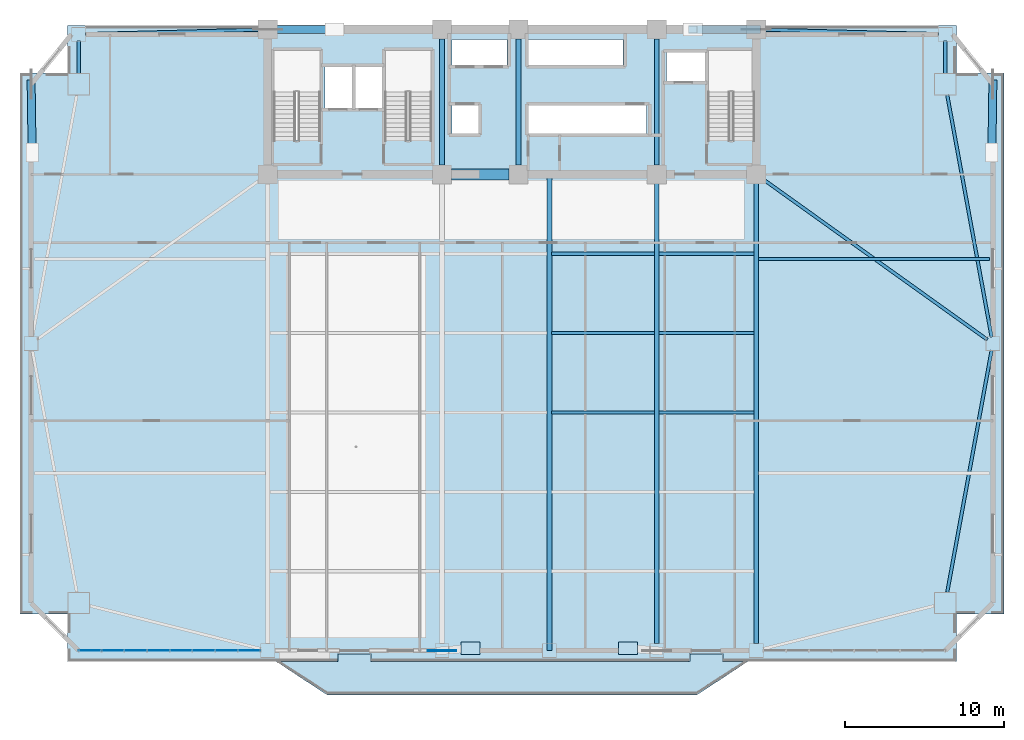
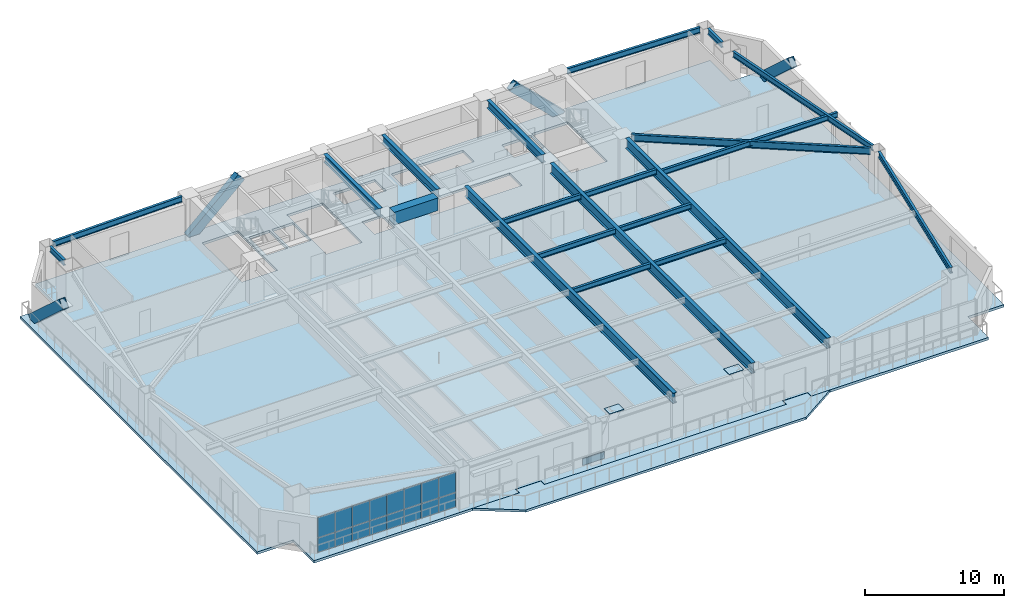
# One storey, part 6 of 15: 21 beams, 19 plates, 4 members, 2 slabs, 1 element without a shape of its own.
"""IFC4 building model written with IfcOpenShell, lengths in metres."""

from ifc_helpers import new_model, si_unit, direction, frame, origin, origin_2d, place, context, subcontext, project, spatial, polyline, rectangle, hollow_rectangle, i_section, outline, extrude, source, transform, mapped, material, layer, layer_set, material_profile, profile_set, type_object, element, aggregate, save


model = new_model("IFC4")

# Units and contexts
model_context = context("Model", 3, precision=1e-05, world=origin(), true_north=direction((0.0, 1.0)))
body_context = subcontext(model_context, "Body", "Model", "MODEL_VIEW")
ifc_project = project(units=[si_unit("LENGTHUNIT", "METRE"), si_unit("AREAUNIT", "SQUARE_METRE"), si_unit("VOLUMEUNIT", "CUBIC_METRE"), si_unit("PLANEANGLEUNIT", "RADIAN"), si_unit("MASSUNIT", "GRAM", prefix="KILO")], contexts=[model_context])

# Site, building, storey
site_placement = place(None, origin())
site = spatial("IfcSite", under=ifc_project, at=site_placement, CompositionType="ELEMENT")
building_placement = place(site_placement, origin())
building = spatial("IfcBuilding", under=site, at=building_placement, Name="Giltprow Tower", CompositionType="ELEMENT")
storey_placement = place(building_placement, frame((0.0, 0.0, 123.10009765625)))
storey = spatial("IfcBuildingStorey", under=building, at=storey_placement, Name="L30", CompositionType="ELEMENT", Elevation=123.10009765625)

# Beams
ifc_material_1 = material(Name="Concrete C60", Category="concrete")
ifc_material_profile_1 = material_profile(ifc_material_1, rectangle(XDim=0.699951171875, YDim=1.10009765625, at=origin_2d()), Name="RC 1100x700")
ifc_profile_set_1 = profile_set([ifc_material_profile_1], Name="Concrete C60")
beam_type_1 = type_object("IfcBeamType", Name="BM-CPL-RC1100", PredefinedType="LINTEL", material=ifc_profile_set_1)
shared_shape_1 = source(origin(), body_context, "Body", "SweptSolid", [
    extrude(rectangle(XDim=0.699951171875, YDim=1.10009765625, at=origin_2d()), origin(), (0.0, 0.0, 1.0), 3.6298828125),
])
beam_1_placement = place(storey_placement, frame((31.385009765625, 37.449951171875, 3.1298828125), z_axis=(1.0, 0.0, 0.0), x_axis=(0.0, 1.0, 0.0)))
element("IfcBeam", 1, at=beam_1_placement, inside=storey, type_object=beam_type_1, Name="L30 Core Coupling Beam CB-1", PredefinedType="LINTEL", context=body_context, shape_type="MappedRepresentation", body=[
    mapped(shared_shape_1, transform((0.0, 0.0, 0.0), x_axis=(1.0, 0.0, 0.0), y_axis=(0.0, 1.0, 0.0), z_axis=(0.0, 0.0, 1.0), scale=1.0)),
])
ifc_material_2 = material(Name="Structural steel Q355B", Category="steel")
ifc_material_profile_2 = material_profile(ifc_material_2, i_section(OverallWidth=0.300048828125, OverallDepth=0.699951171875, WebThickness=0.012939453125, FlangeThickness=0.02392578125, at=origin_2d()), Name="HN 700x300x13x24")
ifc_profile_set_2 = profile_set([ifc_material_profile_2], Name="Structural steel Q355B")
beam_type_2 = type_object("IfcBeamType", Name="BM-GIRD-HN700", PredefinedType="BEAM", material=ifc_profile_set_2)
shared_shape_2 = source(origin(), body_context, "Body", "SweptSolid", [
    extrude(i_section(OverallWidth=0.300048828125, OverallDepth=0.699951171875, WebThickness=0.012939453125, FlangeThickness=0.02392578125, at=origin_2d()), origin(), (0.0, 0.0, 1.0), 7.93017578125),
])
for number, where, z_axis, x_axis, name in (
    (2, (30.800048828125, 38.034912109375, 3.329833984375), (0.0, 1.0, 0.0), (-1.0, 0.0, 0.0), "L30 Core Tie Girder M1"),
    (3, (35.60009765625, 38.034912109375, 3.329833984375), (0.0, 1.0, 0.0), (-1.0, 0.0, 0.0), "L30 Core Tie Girder M2"),
    (4, (44.300048828125, 38.034912109375, 3.329833984375), (0.0, 1.0, 0.0), (-1.0, 0.0, 0.0), "L30 Core Tie Girder M3"),
):
    element("IfcBeam", number, at=place(storey_placement, frame(where, z_axis=z_axis, x_axis=x_axis)), inside=storey, type_object=beam_type_2, Name=name, PredefinedType="BEAM", context=body_context, shape_type="MappedRepresentation", body=[
        mapped(shared_shape_2, transform((0.0, 0.0, 0.0), x_axis=(1.0, 0.0, 0.0), y_axis=(0.0, 1.0, 0.0), z_axis=(0.0, 0.0, 1.0), scale=1.0)),
    ])
ifc_material_profile_3 = material_profile(ifc_material_2, i_section(OverallWidth=0.199951171875, OverallDepth=0.449951171875, WebThickness=0.009033203125, FlangeThickness=0.013916015625, at=origin_2d()), Name="HN 450x200x9x14")
ifc_profile_set_3 = profile_set([ifc_material_profile_3], Name="Structural steel Q355B")
beam_type_3 = type_object("IfcBeamType", Name="BM-JOIST-HN450", PredefinedType="JOIST", material=ifc_profile_set_3)
shared_shape_3 = source(origin(), body_context, "Body", "SweptSolid", [
    extrude(i_section(OverallWidth=0.199951171875, OverallDepth=0.449951171875, WebThickness=0.009033203125, FlangeThickness=0.013916015625, at=origin_2d()), origin(), (0.0, 0.0, 1.0), 6.4599609375),
])
for number, where, z_axis, x_axis, name in (
    (5, (37.695068359375, 22.48388671875, 3.454833984375), (1.0, 0.0, 0.0), (0.0, 1.0, 0.0), "L30 Composite Floor Joist 3-3"),
    (6, (37.695068359375, 27.472900390625, 3.454833984375), (1.0, 0.0, 0.0), (0.0, 1.0, 0.0), "L30 Composite Floor Joist 4-3"),
    (7, (37.695068359375, 32.4609375, 3.454833984375), (1.0, 0.0, 0.0), (0.0, 1.0, 0.0), "L30 Composite Floor Joist 5-3"),
):
    element("IfcBeam", number, at=place(storey_placement, frame(where, z_axis=z_axis, x_axis=x_axis)), inside=storey, type_object=beam_type_3, Name=name, PredefinedType="JOIST", context=body_context, shape_type="MappedRepresentation", body=[
        mapped(shared_shape_3, transform((0.0, 0.0, 0.0), x_axis=(1.0, 0.0, 0.0), y_axis=(0.0, 1.0, 0.0), z_axis=(0.0, 0.0, 1.0), scale=1.0)),
    ])
shared_shape_4 = source(origin(), body_context, "Body", "SweptSolid", [
    extrude(i_section(OverallWidth=0.199951171875, OverallDepth=0.449951171875, WebThickness=0.009033203125, FlangeThickness=0.013916015625, at=origin_2d()), origin(), (0.0, 0.0, 1.0), 5.9599609375),
])
for number, where, z_axis, x_axis, name in (
    (8, (44.445068359375, 22.48388671875, 3.454833984375), (1.0, 0.0, 0.0), (0.0, 1.0, 0.0), "L30 Composite Floor Joist 3-4"),
    (9, (44.445068359375, 27.472900390625, 3.454833984375), (1.0, 0.0, 0.0), (0.0, 1.0, 0.0), "L30 Composite Floor Joist 4-4"),
    (10, (44.445068359375, 32.4609375, 3.454833984375), (1.0, 0.0, 0.0), (0.0, 1.0, 0.0), "L30 Composite Floor Joist 5-4"),
):
    element("IfcBeam", number, at=place(storey_placement, frame(where, z_axis=z_axis, x_axis=x_axis)), inside=storey, type_object=beam_type_3, Name=name, PredefinedType="JOIST", context=body_context, shape_type="MappedRepresentation", body=[
        mapped(shared_shape_4, transform((0.0, 0.0, 0.0), x_axis=(1.0, 0.0, 0.0), y_axis=(0.0, 1.0, 0.0), z_axis=(0.0, 0.0, 1.0), scale=1.0)),
    ])
ifc_material_profile_4 = material_profile(ifc_material_2, i_section(OverallWidth=0.199951171875, OverallDepth=0.5, WebThickness=0.010009765625, FlangeThickness=0.01611328125, at=origin_2d()), Name="HN 500x200x10x16")
ifc_profile_set_4 = profile_set([ifc_material_profile_4], Name="Structural steel Q355B")
beam_type_4 = type_object("IfcBeamType", Name="BM-SPAN-HN500", PredefinedType="SPANDREL", material=ifc_profile_set_4)
shared_shape_5 = source(origin(), body_context, "Body", "SweptSolid", [
    extrude(i_section(OverallWidth=0.199951171875, OverallDepth=0.5, WebThickness=0.010009765625, FlangeThickness=0.01611328125, at=origin_2d()), origin(), (0.0, 0.0, 1.0), 15.45166015625),
])
for number, where, z_axis, x_axis, name in (
    (11, (62.553955078125, 11.18310546875, 3.429931640625), (0.180439714117, 0.983586045839, 0.0), (-0.983586045839, 0.180439714117, 0.0), "L30 Perimeter Spandrel Beam MC_SE-E_MID"),
    (12, (65.342041015625, 27.237060546875, 3.429931640625), (-0.180439714117, 0.983586045839, 0.0), (-0.983586045839, -0.180439714117, 0.0), "L30 Perimeter Spandrel Beam E_MID-MC_NE"),
):
    element("IfcBeam", number, at=place(storey_placement, frame(where, z_axis=z_axis, x_axis=x_axis)), inside=storey, type_object=beam_type_4, Name=name, PredefinedType="SPANDREL", context=body_context, shape_type="MappedRepresentation", body=[
        mapped(shared_shape_5, transform((0.0, 0.0, 0.0), x_axis=(1.0, 0.0, 0.0), y_axis=(0.0, 1.0, 0.0), z_axis=(0.0, 0.0, 1.0), scale=1.0)),
    ])
shared_shape_6 = source(origin(), body_context, "Body", "SweptSolid", [
    extrude(i_section(OverallWidth=0.199951171875, OverallDepth=0.5, WebThickness=0.010009765625, FlangeThickness=0.01611328125, at=origin_2d()), origin(), (0.0, 0.0, 1.0), 2.02099609375),
])
for number, where, z_axis, x_axis, name in (
    (13, (62.429931640625, 43.7939453125, 3.429931640625), (0.0, 1.0, 0.0), (-1.0, 0.0, 0.0), "L30 Perimeter Spandrel Beam MC_NE-N_E"),
    (14, (7.969970703125, 45.81494140625, 3.429931640625), (0.0, -1.0, 0.0), (1.0, 0.0, 0.0), "L30 Perimeter Spandrel Beam N_W-MC_NW"),
):
    element("IfcBeam", number, at=place(storey_placement, frame(where, z_axis=z_axis, x_axis=x_axis)), inside=storey, type_object=beam_type_4, Name=name, PredefinedType="SPANDREL", context=body_context, shape_type="MappedRepresentation", body=[
        mapped(shared_shape_6, transform((0.0, 0.0, 0.0), x_axis=(1.0, 0.0, 0.0), y_axis=(0.0, 1.0, 0.0), z_axis=(0.0, 0.0, 1.0), scale=1.0)),
    ])
shared_shape_7 = source(origin(), body_context, "Body", "SweptSolid", [
    extrude(i_section(OverallWidth=0.199951171875, OverallDepth=0.5, WebThickness=0.010009765625, FlangeThickness=0.01611328125, at=origin_2d()), origin(), (0.0, 0.0, 1.0), 10.86328125),
])
beam_2_placement = place(storey_placement, frame((8.405029296875, 46.260986328125, 3.429931640625), z_axis=(0.99968203455, 0.025215665725, 0.0), x_axis=(-0.025215665725, 0.99968203455, 0.0)))
element("IfcBeam", 15, at=beam_2_placement, inside=storey, type_object=beam_type_4, Name="L30 North Wing Spandrel W", PredefinedType="SPANDREL", context=body_context, shape_type="MappedRepresentation", body=[
    mapped(shared_shape_7, transform((0.0, 0.0, 0.0), x_axis=(1.0, 0.0, 0.0), y_axis=(0.0, 1.0, 0.0), z_axis=(0.0, 0.0, 1.0), scale=1.0)),
])
shared_shape_8 = source(origin(), body_context, "Body", "SweptSolid", [
    extrude(i_section(OverallWidth=0.199951171875, OverallDepth=0.5, WebThickness=0.010009765625, FlangeThickness=0.01611328125, at=origin_2d()), origin(), (0.0, 0.0, 1.0), 10.863525390625),
])
beam_3_placement = place(storey_placement, frame((51.135009765625, 46.534912109375, 3.429931640625), z_axis=(0.999682048839, -0.025215099224, 0.0), x_axis=(0.025215099224, 0.999682048839, 0.0)))
element("IfcBeam", 16, at=beam_3_placement, inside=storey, type_object=beam_type_4, Name="L30 North Wing Spandrel E", PredefinedType="SPANDREL", context=body_context, shape_type="MappedRepresentation", body=[
    mapped(shared_shape_8, transform((0.0, 0.0, 0.0), x_axis=(1.0, 0.0, 0.0), y_axis=(0.0, 1.0, 0.0), z_axis=(0.0, 0.0, 1.0), scale=1.0)),
])
ifc_material_profile_5 = material_profile(ifc_material_2, i_section(OverallWidth=0.300048828125, OverallDepth=0.89990234375, WebThickness=0.01611328125, FlangeThickness=0.028076171875, at=origin_2d()), Name="HN 900x300x16x28")
ifc_profile_set_5 = profile_set([ifc_material_profile_5], Name="Structural steel Q355B")
beam_type_5 = type_object("IfcBeamType", Name="BM-GIRD-HN900", PredefinedType="BEAM", material=ifc_profile_set_5)
shared_shape_9 = source(origin(), body_context, "Body", "SweptSolid", [
    extrude(i_section(OverallWidth=0.300048828125, OverallDepth=0.89990234375, WebThickness=0.01611328125, FlangeThickness=0.028076171875, at=origin_2d()), origin(), (0.0, 0.0, 1.0), 28.912109375),
])
for number, where, z_axis, x_axis, name in (
    (17, (44.300048828125, 7.952880859375, 3.22998046875), (0.0, 1.0, 0.0), (-1.0, 0.0, 0.0), "L30 Primary Lease Girder S3"),
    (18, (50.550048828125, 7.952880859375, 3.22998046875), (0.0, 1.0, 0.0), (-1.0, 0.0, 0.0), "L30 Primary Lease Girder S4"),
):
    element("IfcBeam", number, at=place(storey_placement, frame(where, z_axis=z_axis, x_axis=x_axis)), inside=storey, type_object=beam_type_5, Name=name, PredefinedType="BEAM", context=body_context, shape_type="MappedRepresentation", body=[
        mapped(shared_shape_9, transform((0.0, 0.0, 0.0), x_axis=(1.0, 0.0, 0.0), y_axis=(0.0, 1.0, 0.0), z_axis=(0.0, 0.0, 1.0), scale=1.0)),
    ])
shared_shape_10 = source(origin(), body_context, "Body", "SweptSolid", [
    extrude(i_section(OverallWidth=0.300048828125, OverallDepth=0.89990234375, WebThickness=0.01611328125, FlangeThickness=0.028076171875, at=origin_2d()), origin(), (0.0, 0.0, 1.0), 29.931884765625),
])
beam_4_placement = place(storey_placement, frame((37.550048828125, 7.51806640625, 3.22998046875), z_axis=(0.0, 1.0, 0.0), x_axis=(-1.0, 0.0, 0.0)))
element("IfcBeam", 19, at=beam_4_placement, inside=storey, type_object=beam_type_5, Name="L30 Central Lease Girder SMID", PredefinedType="BEAM", context=body_context, shape_type="MappedRepresentation", body=[
    mapped(shared_shape_10, transform((0.0, 0.0, 0.0), x_axis=(1.0, 0.0, 0.0), y_axis=(0.0, 1.0, 0.0), z_axis=(0.0, 0.0, 1.0), scale=1.0)),
])
ifc_material_profile_6 = material_profile(ifc_material_2, i_section(OverallWidth=0.199951171875, OverallDepth=0.60009765625, WebThickness=0.010986328125, FlangeThickness=0.01708984375, at=origin_2d()), Name="HN 600x200x11x17")
ifc_profile_set_6 = profile_set([ifc_material_profile_6], Name="Structural steel Q355B")
beam_type_6 = type_object("IfcBeamType", Name="BM-GIRD-HN600", PredefinedType="BEAM", material=ifc_profile_set_6)
shared_shape_11 = source(origin(), body_context, "Body", "SweptSolid", [
    extrude(i_section(OverallWidth=0.199951171875, OverallDepth=0.60009765625, WebThickness=0.010986328125, FlangeThickness=0.01708984375, at=origin_2d()), origin(), (0.0, 0.0, 1.0), 17.265869140625),
])
beam_5_placement = place(storey_placement, frame((65.06689453125, 27.06201171875, 3.3798828125), z_axis=(-0.813218189266, 0.581958913194, 0.0), x_axis=(-0.581958913194, -0.813218189266, 0.0)))
element("IfcBeam", 20, at=beam_5_placement, inside=storey, type_object=beam_type_6, Name="L30 East Wing Primary Girder", PredefinedType="BEAM", context=body_context, shape_type="MappedRepresentation", body=[
    mapped(shared_shape_11, transform((0.0, 0.0, 0.0), x_axis=(1.0, 0.0, 0.0), y_axis=(0.0, 1.0, 0.0), z_axis=(0.0, 0.0, 1.0), scale=1.0)),
])
shared_shape_12 = source(origin(), body_context, "Body", "SweptSolid", [
    extrude(i_section(OverallWidth=0.199951171875, OverallDepth=0.449951171875, WebThickness=0.009033203125, FlangeThickness=0.013916015625, at=origin_2d()), origin(), (0.0, 0.0, 1.0), 14.505859375),
])
beam_6_placement = place(storey_placement, frame((50.695068359375, 32.1298828125, 3.454833984375), z_axis=(1.0, 0.0, 0.0), x_axis=(0.0, 1.0, 0.0)))
element("IfcBeam", 21, at=beam_6_placement, inside=storey, type_object=beam_type_3, Name="L30 East Wing Floor Joist 2", PredefinedType="JOIST", context=body_context, shape_type="MappedRepresentation", body=[
    mapped(shared_shape_12, transform((0.0, 0.0, 0.0), x_axis=(1.0, 0.0, 0.0), y_axis=(0.0, 1.0, 0.0), z_axis=(0.0, 0.0, 1.0), scale=1.0)),
])

# Members
ifc_material_3 = material(Name="Structural steel Q420GJC", Category="steel")
ifc_material_profile_7 = material_profile(ifc_material_3, hollow_rectangle(XDim=0.5, YDim=0.800048828125, WallThickness=0.035888671875, at=origin_2d()), Name="RHS 800x500x36")
ifc_profile_set_7 = profile_set([ifc_material_profile_7], Name="Structural steel Q420GJC")
member_type = type_object("IfcMemberType", Name="MBR-MEGA-RHS800", PredefinedType="BRACE", material=ifc_profile_set_7)
shared_shape_13 = source(origin(), body_context, "Body", "SweptSolid", [
    extrude(hollow_rectangle(XDim=0.5, YDim=0.800048828125, WallThickness=0.035888671875, at=origin_2d()), origin(), (0.0, 0.0, 1.0), 5.736572265625),
])
member_1_placement = place(storey_placement, frame((19.85009765625, 46.550048828125, -0.14013671875), z_axis=(0.733328338241, 0.0, 0.67987465634), x_axis=(0.0, 1.0, 0.0)))
element("IfcMember", 22, at=member_1_placement, inside=storey, type_object=member_type, Name="L30 Chevron Mega-Brace N-L", PredefinedType="BRACE", context=body_context, shape_type="MappedRepresentation", body=[
    mapped(shared_shape_13, transform((0.0, 0.0, 0.0), x_axis=(1.0, 0.0, 0.0), y_axis=(0.0, 1.0, 0.0), z_axis=(0.0, 0.0, 1.0), scale=1.0)),
])
shared_shape_14 = source(origin(), body_context, "Body", "SweptSolid", [
    extrude(hollow_rectangle(XDim=0.5, YDim=0.800048828125, WallThickness=0.035888671875, at=origin_2d()), origin(), (0.0, 0.0, 1.0), 5.581787109375),
])
member_2_placement = place(storey_placement, frame((50.550048828125, 46.550048828125, -0.14013671875), z_axis=(-0.715389907179, 0.0, 0.698725468769), x_axis=(0.0, -1.0, 0.0)))
element("IfcMember", 23, at=member_2_placement, inside=storey, type_object=member_type, Name="L30 Chevron Mega-Brace N-R", PredefinedType="BRACE", context=body_context, shape_type="MappedRepresentation", body=[
    mapped(shared_shape_14, transform((0.0, 0.0, 0.0), x_axis=(1.0, 0.0, 0.0), y_axis=(0.0, 1.0, 0.0), z_axis=(0.0, 0.0, 1.0), scale=1.0)),
])
shared_shape_15 = source(origin(), body_context, "Body", "SweptSolid", [
    extrude(hollow_rectangle(XDim=0.5, YDim=0.800048828125, WallThickness=0.035888671875, at=origin_2d()), origin(), (0.0, 0.0, 1.0), 5.79345703125),
])
for number, where, z_axis, x_axis, name in (
    (24, (4.97900390625, 43.10888671875, 0.0), (0.010872124811, -0.739430907186, 0.673144657856), (0.999891923007, 0.014701779001, 0.0), "L30 Chevron Mega-Brace W-R"),
    (25, (65.4208984375, 43.10888671875, 0.0), (-0.010872124811, -0.739430907186, 0.673144657856), (0.999891923007, -0.014701779001, 0.0), "L30 Chevron Mega-Brace E-R"),
):
    element("IfcMember", number, at=place(storey_placement, frame(where, z_axis=z_axis, x_axis=x_axis)), inside=storey, type_object=member_type, Name=name, PredefinedType="BRACE", context=body_context, shape_type="MappedRepresentation", body=[
        mapped(shared_shape_15, transform((0.0, 0.0, 0.0), x_axis=(1.0, 0.0, 0.0), y_axis=(0.0, 1.0, 0.0), z_axis=(0.0, 0.0, 1.0), scale=1.0)),
    ])

# Slabs
ifc_material_4 = material(Name="Concrete C40", Category="concrete")
ifc_layer_1 = layer(ifc_material_4, 0.199951171875, Name="Concrete C40")
ifc_layer_set_1 = layer_set([ifc_layer_1], Name="Concrete C40")
slab_type_1 = type_object("IfcSlabType", Name="SLB-BALC-BRONZE-200", PredefinedType="FLOOR", material=ifc_layer_set_1)
slab_1_placement = place(storey_placement, frame((0.0, 0.0, -0.2001953125)))
element("IfcSlab", 26, at=slab_1_placement, inside=storey, type_object=slab_type_1, Name="L30 Bronze Prow Waterfront Balcony Slab", PredefinedType="FLOOR", context=body_context, shape_type="SweptSolid", body=[
    extrude(outline(polyline([(50.0, 6.818115234375), (46.800048828125, 4.718017578125), (23.60009765625, 4.718017578125), (20.39990234375, 6.818115234375), (24.280029296875, 6.818115234375), (24.280029296875, 7.318115234375), (26.320068359375, 7.318115234375), (26.320068359375, 6.818115234375), (46.3798828125, 6.818115234375), (46.3798828125, 7.318115234375), (48.419921875, 7.318115234375), (48.419921875, 6.818115234375), (50.0, 6.818115234375)])), origin(), (0.0, 0.0, 1.0), 0.2001953125),
])
ifc_layer_2 = layer(ifc_material_4, 0.219970703125, Name="Concrete C40")
ifc_layer_set_2 = layer_set([ifc_layer_2], Name="Concrete C40")
slab_type_2 = type_object("IfcSlabType", Name="SLB-OFF-220", PredefinedType="FLOOR", material=ifc_layer_set_2)
slab_2_placement = place(storey_placement, frame((0.0, 0.0, -0.22021484375)))
element("IfcSlab", 27, at=slab_2_placement, inside=storey, type_object=slab_type_2, Name="L30 Structural Composite Floor Slab", PredefinedType="FLOOR", context=body_context, shape_type="SweptSolid", body=[
    extrude(outline(polyline([(7.27001953125, 6.818115234375), (7.27001953125, 9.80908203125), (4.279052734375, 9.80908203125), (4.279052734375, 43.80908203125), (7.27001953125, 43.80908203125), (7.27001953125, 46.800048828125), (63.1298828125, 46.800048828125), (63.1298828125, 43.80908203125), (66.12109375, 43.80908203125), (66.12109375, 9.80908203125), (63.1298828125, 9.80908203125), (63.1298828125, 6.818115234375), (48.449951171875, 6.818115234375), (48.449951171875, 7.337890625), (46.35009765625, 7.337890625), (46.35009765625, 6.818115234375), (26.35009765625, 6.818115234375), (26.35009765625, 7.337890625), (24.25, 7.337890625), (24.25, 6.818115234375), (7.27001953125, 6.818115234375)]), holes=[polyline([(33.10009765625, 41.800048828125), (31.419921875, 41.800048828125), (31.419921875, 40.0), (33.10009765625, 40.0), (33.10009765625, 41.800048828125)]), polyline([(23.159912109375, 39.570068359375), (23.159912109375, 45.25), (20.199951171875, 45.25), (20.199951171875, 39.570068359375), (23.159912109375, 39.570068359375)]), polyline([(30.159912109375, 45.25), (27.199951171875, 45.25), (27.199951171875, 39.570068359375), (30.159912109375, 39.570068359375), (30.159912109375, 45.25)]), polyline([(25.169921875, 41.60009765625), (25.169921875, 44.199951171875), (23.449951171875, 44.199951171875), (23.449951171875, 41.60009765625), (25.169921875, 41.60009765625)]), polyline([(27.10009765625, 41.60009765625), (27.10009765625, 44.199951171875), (25.35009765625, 44.199951171875), (25.35009765625, 41.60009765625), (27.10009765625, 41.60009765625)]), polyline([(43.659912109375, 40.0), (43.659912109375, 41.800048828125), (36.239990234375, 41.800048828125), (36.239990234375, 40.0), (43.659912109375, 40.0)]), polyline([(50.4599609375, 39.570068359375), (50.4599609375, 45.25), (47.5, 45.25), (47.5, 39.570068359375), (50.4599609375, 39.570068359375)]), polyline([(47.3798828125, 45.10009765625), (44.919921875, 45.10009765625), (44.919921875, 43.300048828125), (47.3798828125, 43.300048828125), (47.3798828125, 45.10009765625)]), polyline([(34.8798828125, 44.300048828125), (34.8798828125, 45.919921875), (31.419921875, 45.919921875), (31.419921875, 44.300048828125), (34.8798828125, 44.300048828125)]), polyline([(42.169921875, 44.300048828125), (42.169921875, 45.919921875), (36.239990234375, 45.919921875), (36.239990234375, 44.300048828125), (42.169921875, 44.300048828125)])]), origin(), (0.0, 0.0, 1.0), 0.22021484375),
])

# Plates
plate_type_1 = type_object("IfcPlateType", Name="PLT-NODE-MBN1", PredefinedType="USERDEFINED", material=ifc_material_3)
shared_shape_16 = source(origin(), body_context, "Body", "SweptSolid", [
    extrude(rectangle(XDim=1.800048828125, YDim=0.050048828125, at=origin_2d()), origin(), (0.0, 0.0, 1.0), 1.14990234375),
])
plate_1_placement = place(storey_placement, frame((30.800048828125, 7.51806640625, -0.574951171875), z_axis=(0.0, 0.0, 1.0), x_axis=(1.0, 0.0, 0.0)))
element("IfcPlate", 28, at=plate_1_placement, inside=storey, type_object=plate_type_1, Name="Mega-Brace Node L30-S-LA", ObjectType="GUSSET", PredefinedType="USERDEFINED", context=body_context, shape_type="MappedRepresentation", body=[
    mapped(shared_shape_16, transform((0.0, 0.0, 0.0), x_axis=(1.0, 0.0, 0.0), y_axis=(0.0, 1.0, 0.0), z_axis=(0.0, 0.0, 1.0), scale=1.0)),
])
plate_type_2 = type_object("IfcPlateType", Name="PLT-CAP-SEAL", PredefinedType="USERDEFINED", material=ifc_material_3)
shared_shape_17 = source(origin(), body_context, "Body", "SweptSolid", [
    extrude(rectangle(XDim=1.199951171875, YDim=0.800048828125, at=origin_2d()), origin(), (0.0, 0.0, 1.0), 0.034912109375),
])
for number, where, z_axis, x_axis, name in (
    (29, (32.60302734375, 7.658935546875, 3.88232421875), (0.0, 0.0, 1.0), (1.0, 0.0, 0.0), "Mega-Brace Node L30-S-LB"),
    (30, (42.4970703125, 7.658935546875, 3.88232421875), (0.0, 0.0, 1.0), (1.0, 0.0, 0.0), "Mega-Brace Node L30-S-RB"),
):
    element("IfcPlate", number, at=place(storey_placement, frame(where, z_axis=z_axis, x_axis=x_axis)), inside=storey, type_object=plate_type_2, Name=name, ObjectType="SPLICE", PredefinedType="USERDEFINED", context=body_context, shape_type="MappedRepresentation", body=[
        mapped(shared_shape_17, transform((0.0, 0.0, 0.0), x_axis=(1.0, 0.0, 0.0), y_axis=(0.0, 1.0, 0.0), z_axis=(0.0, 0.0, 1.0), scale=1.0)),
    ])

# Curtain wall, plates
ifc_material_5 = material(Name="Anodized bronze", Category="metal")
ifc_layer_3 = layer(ifc_material_5, 0.179931640625, Name="Anodized bronze")
ifc_layer_set_3 = layer_set([ifc_layer_3], Name="Anodized bronze")
curtain_wall_type = type_object("IfcCurtainWallType", Name="CW-OFF-RECESSED", PredefinedType="NOTDEFINED", material=ifc_layer_set_3)
curtain_wall_placement = place(storey_placement, origin())
curtain_wall = element("IfcCurtainWall", 31, at=curtain_wall_placement, inside=storey, type_object=curtain_wall_type, Name="L30 South Recessed Curtain Wall 1", PredefinedType="NOTDEFINED")
ifc_material_6 = material(Name="Insulated glass", Category="glass")
plate_type_3 = type_object("IfcPlateType", Name="CW-PANEL-IGU-28", PredefinedType="CURTAIN_PANEL", material=ifc_material_6)
shared_shape_18 = source(origin(), body_context, "Body", "SweptSolid", [
    extrude(rectangle(XDim=1.39892578125, YDim=0.028076171875, at=origin_2d()), origin(), (0.0, 0.0, 1.0), 1.259033203125),
])
plate_2_placement = place(storey_placement, frame((8.68408203125, 7.51806640625, 0.05419921875), z_axis=(0.0, 0.0, 1.0), x_axis=(1.0, 0.0, 0.0)))
plate_2 = element("IfcPlate", 32, at=plate_2_placement, type_object=plate_type_3, Name="L30 South Recessed Curtain Wall 1 Glazing Panel 1-1", PredefinedType="CURTAIN_PANEL", context=body_context, shape_type="MappedRepresentation", body=[
    mapped(shared_shape_18, transform((0.0, 0.0, 0.0), x_axis=(1.0, 0.0, 0.0), y_axis=(0.0, 1.0, 0.0), z_axis=(0.0, 0.0, 1.0), scale=1.0)),
])
plate_3_placement = place(storey_placement, frame((10.113037109375, 7.51806640625, 0.05419921875), z_axis=(0.0, 0.0, 1.0), x_axis=(1.0, 0.0, 0.0)))
plate_3 = element("IfcPlate", 33, at=plate_3_placement, type_object=plate_type_3, Name="L30 South Recessed Curtain Wall 1 Glazing Panel 2-1", PredefinedType="CURTAIN_PANEL", context=body_context, shape_type="MappedRepresentation", body=[
    mapped(shared_shape_18, transform((0.0, 0.0, 0.0), x_axis=(1.0, 0.0, 0.0), y_axis=(0.0, 1.0, 0.0), z_axis=(0.0, 0.0, 1.0), scale=1.0)),
])
plate_4_placement = place(storey_placement, frame((11.5419921875, 7.51806640625, 0.05419921875), z_axis=(0.0, 0.0, 1.0), x_axis=(1.0, 0.0, 0.0)))
plate_4 = element("IfcPlate", 34, at=plate_4_placement, type_object=plate_type_3, Name="L30 South Recessed Curtain Wall 1 Glazing Panel 3-1", PredefinedType="CURTAIN_PANEL", context=body_context, shape_type="MappedRepresentation", body=[
    mapped(shared_shape_18, transform((0.0, 0.0, 0.0), x_axis=(1.0, 0.0, 0.0), y_axis=(0.0, 1.0, 0.0), z_axis=(0.0, 0.0, 1.0), scale=1.0)),
])
plate_5_placement = place(storey_placement, frame((12.970947265625, 7.51806640625, 0.05419921875), z_axis=(0.0, 0.0, 1.0), x_axis=(1.0, 0.0, 0.0)))
plate_5 = element("IfcPlate", 35, at=plate_5_placement, type_object=plate_type_3, Name="L30 South Recessed Curtain Wall 1 Glazing Panel 4-1", PredefinedType="CURTAIN_PANEL", context=body_context, shape_type="MappedRepresentation", body=[
    mapped(shared_shape_18, transform((0.0, 0.0, 0.0), x_axis=(1.0, 0.0, 0.0), y_axis=(0.0, 1.0, 0.0), z_axis=(0.0, 0.0, 1.0), scale=1.0)),
])
plate_6_placement = place(storey_placement, frame((14.39892578125, 7.51806640625, 0.05419921875), z_axis=(0.0, 0.0, 1.0), x_axis=(1.0, 0.0, 0.0)))
plate_6 = element("IfcPlate", 36, at=plate_6_placement, type_object=plate_type_3, Name="L30 South Recessed Curtain Wall 1 Glazing Panel 5-1", PredefinedType="CURTAIN_PANEL", context=body_context, shape_type="MappedRepresentation", body=[
    mapped(shared_shape_18, transform((0.0, 0.0, 0.0), x_axis=(1.0, 0.0, 0.0), y_axis=(0.0, 1.0, 0.0), z_axis=(0.0, 0.0, 1.0), scale=1.0)),
])
plate_7_placement = place(storey_placement, frame((15.827880859375, 7.51806640625, 0.05419921875), z_axis=(0.0, 0.0, 1.0), x_axis=(1.0, 0.0, 0.0)))
plate_7 = element("IfcPlate", 37, at=plate_7_placement, type_object=plate_type_3, Name="L30 South Recessed Curtain Wall 1 Glazing Panel 6-1", PredefinedType="CURTAIN_PANEL", context=body_context, shape_type="MappedRepresentation", body=[
    mapped(shared_shape_18, transform((0.0, 0.0, 0.0), x_axis=(1.0, 0.0, 0.0), y_axis=(0.0, 1.0, 0.0), z_axis=(0.0, 0.0, 1.0), scale=1.0)),
])
plate_8_placement = place(storey_placement, frame((17.257080078125, 7.51806640625, 0.05419921875), z_axis=(0.0, 0.0, 1.0), x_axis=(1.0, 0.0, 0.0)))
plate_8 = element("IfcPlate", 38, at=plate_8_placement, type_object=plate_type_3, Name="L30 South Recessed Curtain Wall 1 Glazing Panel 7-1", PredefinedType="CURTAIN_PANEL", context=body_context, shape_type="MappedRepresentation", body=[
    mapped(shared_shape_18, transform((0.0, 0.0, 0.0), x_axis=(1.0, 0.0, 0.0), y_axis=(0.0, 1.0, 0.0), z_axis=(0.0, 0.0, 1.0), scale=1.0)),
])
plate_9_placement = place(storey_placement, frame((18.68603515625, 7.51806640625, 0.05419921875), z_axis=(0.0, 0.0, 1.0), x_axis=(1.0, 0.0, 0.0)))
plate_9 = element("IfcPlate", 39, at=plate_9_placement, type_object=plate_type_3, Name="L30 South Recessed Curtain Wall 1 Glazing Panel 8-1", PredefinedType="CURTAIN_PANEL", context=body_context, shape_type="MappedRepresentation", body=[
    mapped(shared_shape_18, transform((0.0, 0.0, 0.0), x_axis=(1.0, 0.0, 0.0), y_axis=(0.0, 1.0, 0.0), z_axis=(0.0, 0.0, 1.0), scale=1.0)),
])
shared_shape_19 = source(origin(), body_context, "Body", "SweptSolid", [
    extrude(rectangle(XDim=1.39892578125, YDim=0.028076171875, at=origin_2d()), origin(), (0.0, 0.0, 1.0), 1.764892578125),
])
plate_10_placement = place(storey_placement, frame((8.68408203125, 7.51806640625, 1.34033203125), z_axis=(0.0, 0.0, 1.0), x_axis=(1.0, 0.0, 0.0)))
plate_10 = element("IfcPlate", 40, at=plate_10_placement, type_object=plate_type_3, Name="L30 South Recessed Curtain Wall 1 Glazing Panel 1-2", PredefinedType="CURTAIN_PANEL", context=body_context, shape_type="MappedRepresentation", body=[
    mapped(shared_shape_19, transform((0.0, 0.0, 0.0), x_axis=(1.0, 0.0, 0.0), y_axis=(0.0, 1.0, 0.0), z_axis=(0.0, 0.0, 1.0), scale=1.0)),
])
plate_11_placement = place(storey_placement, frame((10.113037109375, 7.51806640625, 1.34033203125), z_axis=(0.0, 0.0, 1.0), x_axis=(1.0, 0.0, 0.0)))
plate_11 = element("IfcPlate", 41, at=plate_11_placement, type_object=plate_type_3, Name="L30 South Recessed Curtain Wall 1 Glazing Panel 2-2", PredefinedType="CURTAIN_PANEL", context=body_context, shape_type="MappedRepresentation", body=[
    mapped(shared_shape_19, transform((0.0, 0.0, 0.0), x_axis=(1.0, 0.0, 0.0), y_axis=(0.0, 1.0, 0.0), z_axis=(0.0, 0.0, 1.0), scale=1.0)),
])
plate_12_placement = place(storey_placement, frame((11.5419921875, 7.51806640625, 1.34033203125), z_axis=(0.0, 0.0, 1.0), x_axis=(1.0, 0.0, 0.0)))
plate_12 = element("IfcPlate", 42, at=plate_12_placement, type_object=plate_type_3, Name="L30 South Recessed Curtain Wall 1 Glazing Panel 3-2", PredefinedType="CURTAIN_PANEL", context=body_context, shape_type="MappedRepresentation", body=[
    mapped(shared_shape_19, transform((0.0, 0.0, 0.0), x_axis=(1.0, 0.0, 0.0), y_axis=(0.0, 1.0, 0.0), z_axis=(0.0, 0.0, 1.0), scale=1.0)),
])
plate_13_placement = place(storey_placement, frame((12.970947265625, 7.51806640625, 1.34033203125), z_axis=(0.0, 0.0, 1.0), x_axis=(1.0, 0.0, 0.0)))
plate_13 = element("IfcPlate", 43, at=plate_13_placement, type_object=plate_type_3, Name="L30 South Recessed Curtain Wall 1 Glazing Panel 4-2", PredefinedType="CURTAIN_PANEL", context=body_context, shape_type="MappedRepresentation", body=[
    mapped(shared_shape_19, transform((0.0, 0.0, 0.0), x_axis=(1.0, 0.0, 0.0), y_axis=(0.0, 1.0, 0.0), z_axis=(0.0, 0.0, 1.0), scale=1.0)),
])
plate_14_placement = place(storey_placement, frame((14.39892578125, 7.51806640625, 1.34033203125), z_axis=(0.0, 0.0, 1.0), x_axis=(1.0, 0.0, 0.0)))
plate_14 = element("IfcPlate", 44, at=plate_14_placement, type_object=plate_type_3, Name="L30 South Recessed Curtain Wall 1 Glazing Panel 5-2", PredefinedType="CURTAIN_PANEL", context=body_context, shape_type="MappedRepresentation", body=[
    mapped(shared_shape_19, transform((0.0, 0.0, 0.0), x_axis=(1.0, 0.0, 0.0), y_axis=(0.0, 1.0, 0.0), z_axis=(0.0, 0.0, 1.0), scale=1.0)),
])
plate_15_placement = place(storey_placement, frame((15.827880859375, 7.51806640625, 1.34033203125), z_axis=(0.0, 0.0, 1.0), x_axis=(1.0, 0.0, 0.0)))
plate_15 = element("IfcPlate", 45, at=plate_15_placement, type_object=plate_type_3, Name="L30 South Recessed Curtain Wall 1 Glazing Panel 6-2", PredefinedType="CURTAIN_PANEL", context=body_context, shape_type="MappedRepresentation", body=[
    mapped(shared_shape_19, transform((0.0, 0.0, 0.0), x_axis=(1.0, 0.0, 0.0), y_axis=(0.0, 1.0, 0.0), z_axis=(0.0, 0.0, 1.0), scale=1.0)),
])
plate_16_placement = place(storey_placement, frame((17.257080078125, 7.51806640625, 1.34033203125), z_axis=(0.0, 0.0, 1.0), x_axis=(1.0, 0.0, 0.0)))
plate_16 = element("IfcPlate", 46, at=plate_16_placement, type_object=plate_type_3, Name="L30 South Recessed Curtain Wall 1 Glazing Panel 7-2", PredefinedType="CURTAIN_PANEL", context=body_context, shape_type="MappedRepresentation", body=[
    mapped(shared_shape_19, transform((0.0, 0.0, 0.0), x_axis=(1.0, 0.0, 0.0), y_axis=(0.0, 1.0, 0.0), z_axis=(0.0, 0.0, 1.0), scale=1.0)),
])
plate_17_placement = place(storey_placement, frame((18.68603515625, 7.51806640625, 1.34033203125), z_axis=(0.0, 0.0, 1.0), x_axis=(1.0, 0.0, 0.0)))
plate_17 = element("IfcPlate", 47, at=plate_17_placement, type_object=plate_type_3, Name="L30 South Recessed Curtain Wall 1 Glazing Panel 8-2", PredefinedType="CURTAIN_PANEL", context=body_context, shape_type="MappedRepresentation", body=[
    mapped(shared_shape_19, transform((0.0, 0.0, 0.0), x_axis=(1.0, 0.0, 0.0), y_axis=(0.0, 1.0, 0.0), z_axis=(0.0, 0.0, 1.0), scale=1.0)),
])
aggregate(curtain_wall, [plate_2, plate_10, plate_3, plate_11, plate_4, plate_12, plate_5, plate_13, plate_6, plate_14, plate_7, plate_15, plate_8, plate_16, plate_9, plate_17])

save(model, "model.ifc")
